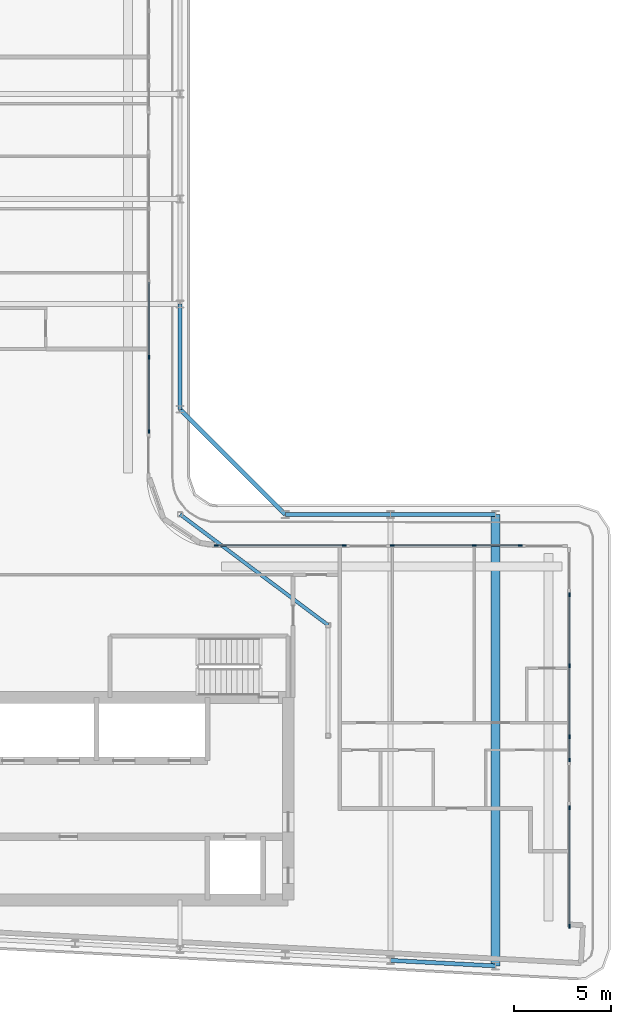
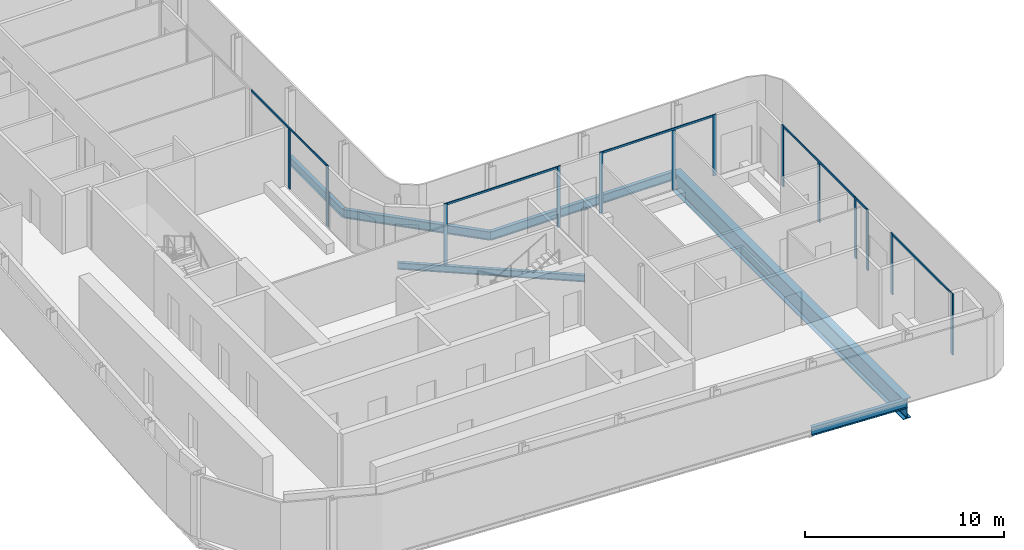
# One storey, part 6 of 21: 19 members, 7 beams, 6 elements without a shape of their own.
"""IFC4 building model written with IfcOpenShell, lengths in metres."""

import ifcopenshell
import ifcopenshell.guid

model = None  # the IFC model being written
_history = None  # IfcOwnerHistory: only IFC2X3 demands one
_inside = {}  # id of a spatial element -> (the spatial element, [elements in it])
_under = {}  # id of a project, library or spatial element -> (it, [spatial elements below it])
_declared = {}  # id of a project -> (the project, [libraries it declares])
_typed = {}  # id of a type object -> (the type object, [elements of that type])
_made_of = {}  # id of a material, layer set ... -> (it, [elements and type objects made of it])


def new_model(schema):
    """Start an empty IFC model of exactly this schema.

    Asked for "IFC4X3", IfcOpenShell would pick the latest addendum, in which some entities
    have other attributes; the version numbers below select the first issue.
    IFC2X3 requires an IfcOwnerHistory on every rooted entity: one is made here for all.
    """
    global model, _history
    if schema == "IFC4X3":
        model = ifcopenshell.file(schema_version=(4, 3, 0, 0))
    else:
        model = ifcopenshell.file(schema=schema)
    _inside.clear()
    _under.clear()
    _declared.clear()
    _typed.clear()
    _made_of.clear()
    _history = None
    if model.schema == "IFC2X3":
        org = make("IfcOrganization", Name="unknown")
        user = make(
            "IfcPersonAndOrganization",
            ThePerson=make("IfcPerson", FamilyName="unknown"),
            TheOrganization=org,
        )
        app = make(
            "IfcApplication",
            ApplicationDeveloper=org,
            Version="unknown",
            ApplicationFullName="unknown",
            ApplicationIdentifier="unknown",
        )
        _history = make(
            "IfcOwnerHistory",
            OwningUser=user,
            OwningApplication=app,
            ChangeAction="ADDED",
            CreationDate=0,
        )
    return model


def make(cls, **values):
    """One entity of the class cls with the attributes given. An attribute that is None is left unset."""
    return model.create_entity(
        cls, **{name: value for name, value in values.items() if value is not None}
    )


def rooted(cls, **values):
    """An entity with a GlobalId (a new one), such as an element, a storey or a relation."""
    return make(cls, GlobalId=ifcopenshell.guid.new(), OwnerHistory=_history, **values)


def si_unit(unit_type, name, prefix=None):
    """IfcSIUnit, for example si_unit("LENGTHUNIT", "METRE", prefix="MILLI")."""
    return make("IfcSIUnit", UnitType=unit_type, Prefix=prefix, Name=name)


def assignment(units):
    """IfcUnitAssignment: the units of a project."""
    return None if units is None else make("IfcUnitAssignment", Units=units)


def point(xyz):
    """IfcCartesianPoint."""
    return None if xyz is None else make("IfcCartesianPoint", Coordinates=xyz)


def direction(xyz):
    """IfcDirection."""
    return None if xyz is None else make("IfcDirection", DirectionRatios=xyz)


def frame(location, z_axis=None, x_axis=None):
    """IfcAxis2Placement3D, a coordinate frame: its origin and axes. An axis left out is left unset."""
    return make(
        "IfcAxis2Placement3D",
        Location=point(location),
        Axis=direction(z_axis),
        RefDirection=direction(x_axis),
    )


def frame_2d(location, x_axis=None):
    """IfcAxis2Placement2D, a coordinate frame in the plane: its origin and x axis."""
    return make(
        "IfcAxis2Placement2D", Location=point(location), RefDirection=direction(x_axis)
    )


def origin():
    """The frame at (0, 0, 0) with its axes left unset."""
    return frame((0.0, 0.0, 0.0))


def origin_2d():
    """The frame at (0, 0) in the plane with its x axis left unset."""
    return frame_2d((0.0, 0.0))


def place(relative_to, where):
    """IfcLocalPlacement: puts the frame where relative to a parent placement (None: the world)."""
    return make(
        "IfcLocalPlacement", PlacementRelTo=relative_to, RelativePlacement=where
    )


def context(
    kind, dimensions, precision=None, world=None, true_north=None, identifier=None
):
    """IfcGeometricRepresentationContext, for example the 3D "Model" context."""
    return make(
        "IfcGeometricRepresentationContext",
        ContextIdentifier=identifier,
        ContextType=kind,
        CoordinateSpaceDimension=dimensions,
        Precision=precision,
        WorldCoordinateSystem=world,
        TrueNorth=true_north,
    )


def subcontext(parent, identifier, kind, view, scale=None):
    """IfcGeometricRepresentationSubContext, for example "Body" below "Model"."""
    return make(
        "IfcGeometricRepresentationSubContext",
        ContextIdentifier=identifier,
        ContextType=kind,
        ParentContext=parent,
        TargetScale=scale,
        TargetView=view,
    )


def project(units=None, contexts=None):
    """IfcProject with its units and contexts."""
    return rooted(
        "IfcProject",
        Name="project",
        RepresentationContexts=contexts,
        UnitsInContext=assignment(units),
    )


def spatial(cls, under=None, at=None, **own):
    """A site, building, storey or space (cls), placed at a placement, below another one or the project."""
    s = rooted(cls, ObjectPlacement=at, **own)
    if under is not None:
        _under.setdefault(under.id(), (under, []))[1].append(s)
    return s


def profile(cls, at=None, kind="AREA", **sizes):
    """A parametric profile (cls). Its sizes go by their IFC names, for example OverallWidth=200.0."""
    return make(cls, ProfileType=kind, Position=at, **sizes)


def rectangle(**sizes):
    """IfcRectangleProfileDef."""
    return profile("IfcRectangleProfileDef", **sizes)


def i_section(**sizes):
    """IfcIShapeProfileDef."""
    return profile("IfcIShapeProfileDef", **sizes)


def extrude(swept, where, along, depth):
    """IfcExtrudedAreaSolid: the profile swept, set in the frame where, extruded along a direction by depth."""
    return make(
        "IfcExtrudedAreaSolid",
        SweptArea=swept,
        Position=where,
        ExtrudedDirection=direction(along),
        Depth=depth,
    )


def shape(context_of_items, identifier, shape_type, items):
    """IfcShapeRepresentation: the items that make up one representation, for example the "Body"."""
    return make(
        "IfcShapeRepresentation",
        ContextOfItems=context_of_items,
        RepresentationIdentifier=identifier,
        RepresentationType=shape_type,
        Items=items,
    )


def material(Name=None, Category=None):
    """IfcMaterial."""
    return make("IfcMaterial", Name=Name, Category=Category)


def layer(
    of_material, thickness, ventilated=None, Name=None, Category=None, Priority=None
):
    """IfcMaterialLayer: one layer of a wall or slab, of a material (None: an air gap)."""
    return make(
        "IfcMaterialLayer",
        Material=of_material,
        LayerThickness=thickness,
        IsVentilated=ventilated,
        Name=Name,
        Category=Category,
        Priority=Priority,
    )


def layer_set(layers, Name=None):
    """IfcMaterialLayerSet."""
    return make("IfcMaterialLayerSet", MaterialLayers=layers, LayerSetName=Name)


def material_profile(
    of_material, cross_section, Name=None, Category=None, Priority=None
):
    """IfcMaterialProfile: a cross section and its material."""
    return make(
        "IfcMaterialProfile",
        Name=Name,
        Material=of_material,
        Profile=cross_section,
        Priority=Priority,
        Category=Category,
    )


def profile_set(profiles, Name=None, composite=None):
    """IfcMaterialProfileSet."""
    return make(
        "IfcMaterialProfileSet",
        Name=Name,
        MaterialProfiles=profiles,
        CompositeProfile=composite,
    )


def made_of(thing, what):
    """Note that an element or type object is made of a material, layer set ...; save() writes the relation."""
    if what is not None:
        _made_of.setdefault(what.id(), (what, []))[1].append(thing)
    return thing


def type_object(cls, material=None, **own):
    """A type object (cls), such as IfcWallType, which elements share."""
    return made_of(rooted(cls, **own), material)


def element(
    cls,
    number,
    at=None,
    inside=None,
    cuts=None,
    type_object=None,
    material=None,
    context=None,
    identifier="Body",
    shape_type=None,
    held_by="IfcProductDefinitionShape",
    body=None,
    shapes=None,
    **own,
):
    """One element of the class cls, such as IfcWall. Its Tag is "e" and its number.

    at: its placement. inside: the storey or other place that contains it. cuts: it is an
    opening in that element (IfcRelVoidsElement). A single representation is given by context,
    identifier, shape_type and body (its items); several are given by shapes. held_by: the class
    of the entity that holds the representations. save() writes the other relations.
    """
    e = rooted(cls, Tag="e%d" % number, ObjectPlacement=at, **own)
    if body is not None:
        shapes = [shape(context, identifier, shape_type, body)]
    if shapes is not None:
        e.Representation = make(held_by, Representations=shapes)
    if inside is not None:
        _inside.setdefault(inside.id(), (inside, []))[1].append(e)
    if cuts is not None:
        rooted(
            "IfcRelVoidsElement", RelatingBuildingElement=cuts, RelatedOpeningElement=e
        )
    if type_object is not None:
        _typed.setdefault(type_object.id(), (type_object, []))[1].append(e)
    return made_of(e, material)


def aggregate(whole, parts):
    """IfcRelAggregates: a whole, such as a stair, and the parts it consists of."""
    return rooted("IfcRelAggregates", RelatingObject=whole, RelatedObjects=parts)


def save(model, path):
    """Write the relations noted so far, then the file.

    IfcRelAggregates (storeys below a building ...), IfcRelContainedInSpatialStructure (elements
    in a storey), IfcRelDefinesByType, IfcRelAssociatesMaterial and IfcRelDeclares: one each for
    every whole, place, type object, material and project.
    """
    for whole, parts in _under.values():
        aggregate(whole, parts)
    for where, things in _inside.values():
        rooted(
            "IfcRelContainedInSpatialStructure",
            RelatedElements=things,
            RelatingStructure=where,
        )
    for kind, things in _typed.values():
        rooted("IfcRelDefinesByType", RelatedObjects=things, RelatingType=kind)
    for what, things in _made_of.values():
        rooted("IfcRelAssociatesMaterial", RelatedObjects=things, RelatingMaterial=what)
    for by, libraries in _declared.values():
        rooted("IfcRelDeclares", RelatingContext=by, RelatedDefinitions=libraries)
    model.write(path)


model = new_model("IFC4")

# Units and contexts
model_context = context("Model", 3, precision=1e-05, world=origin(), true_north=direction((0.0, 1.0)))
body_context = subcontext(model_context, "Body", "Model", "MODEL_VIEW")
ifc_project = project(units=[si_unit("LENGTHUNIT", "METRE"), si_unit("AREAUNIT", "SQUARE_METRE"), si_unit("VOLUMEUNIT", "CUBIC_METRE"), si_unit("PLANEANGLEUNIT", "RADIAN"), si_unit("MASSUNIT", "GRAM", prefix="KILO")], contexts=[model_context])

# Site, building, storey
site_placement = place(None, origin())
site = spatial("IfcSite", under=ifc_project, at=site_placement, CompositionType="ELEMENT")
building_placement = place(site_placement, origin())
building = spatial("IfcBuilding", under=site, at=building_placement, Name="Kheshtan School and Residences Tower", CompositionType="ELEMENT")
storey_placement = place(building_placement, frame((0.0, 0.0, 305.89990234375)))
storey = spatial("IfcBuildingStorey", under=building, at=storey_placement, Name="L72", CompositionType="ELEMENT", Elevation=305.89990234375)

# Beams
ifc_material_1 = material(Name="Steel ASTM A992 Grade 50", Category="steel")
ifc_material_profile_1 = material_profile(ifc_material_1, i_section(OverallWidth=0.180908203125, OverallDepth=0.4169921875, WebThickness=0.010986328125, FlangeThickness=0.018310546875, FilletRadius=0.012451171875, at=origin_2d()), Name="W410x85")
ifc_profile_set_1 = profile_set([ifc_material_profile_1], Name="Steel ASTM A992 Grade 50")
beam_type_1 = type_object("IfcBeamType", Name="Beam FB3 W410x85 ASTM A992 Grade 50", PredefinedType="BEAM", material=ifc_profile_set_1)
beam_1_placement = place(storey_placement, frame((47.60009765625, 45.60009765625, -0.3583984375), z_axis=(0.800798828004, -0.598933416222, 0.0), x_axis=(0.598933416222, 0.800798828004, 0.0)))
element("IfcBeam", 1, at=beam_1_placement, inside=storey, type_object=beam_type_1, Name="Floor beam IC", PredefinedType="BEAM", context=body_context, shape_type="SweptSolid", body=[
    extrude(i_section(OverallWidth=0.180908203125, OverallDepth=0.4169921875, WebThickness=0.010986328125, FlangeThickness=0.018310546875, FilletRadius=0.012451171875, at=origin_2d()), origin(), (0.0, 0.0, 1.0), 9.490234375),
])
ifc_material_profile_2 = material_profile(ifc_material_1, i_section(OverallWidth=0.208984375, OverallDepth=0.532958984375, WebThickness=0.01025390625, FlangeThickness=0.015625, FilletRadius=0.013916015625, at=origin_2d()), Name="W530x92")
ifc_profile_set_2 = profile_set([ifc_material_profile_2], Name="Steel ASTM A992 Grade 50")
beam_type_2 = type_object("IfcBeamType", Name="Beam SP3 W530x92 ASTM A992 Grade 50", PredefinedType="BEAM", material=ifc_profile_set_2)
beam_2_placement = place(storey_placement, frame((47.60009765625, 56.39990234375, -0.41650390625), z_axis=(0.0, -1.0, 0.0), x_axis=(1.0, 0.0, 0.0)))
element("IfcBeam", 2, at=beam_2_placement, inside=storey, type_object=beam_type_2, Name="Spandrel beam C081-C079", PredefinedType="BEAM", context=body_context, shape_type="SweptSolid", body=[
    extrude(i_section(OverallWidth=0.208984375, OverallDepth=0.532958984375, WebThickness=0.01025390625, FlangeThickness=0.015625, FilletRadius=0.013916015625, at=origin_2d()), origin(), (0.0, 0.0, 1.0), 5.39990234375),
])
beam_3_placement = place(storey_placement, frame((47.60009765625, 51.0, -0.41650390625), z_axis=(0.707106781187, -0.707106781187, 0.0), x_axis=(0.707106781187, 0.707106781187, 0.0)))
element("IfcBeam", 3, at=beam_3_placement, inside=storey, type_object=beam_type_2, Name="Spandrel beam C079-C061", PredefinedType="BEAM", context=body_context, shape_type="SweptSolid", body=[
    extrude(i_section(OverallWidth=0.208984375, OverallDepth=0.532958984375, WebThickness=0.01025390625, FlangeThickness=0.015625, FilletRadius=0.013916015625, at=origin_2d()), origin(), (0.0, 0.0, 1.0), 7.63671875),
])
beam_4_placement = place(storey_placement, frame((53.0, 45.60009765625, -0.41650390625), z_axis=(1.0, 0.0, 0.0), x_axis=(0.0, 1.0, 0.0)))
element("IfcBeam", 4, at=beam_4_placement, inside=storey, type_object=beam_type_2, Name="Spandrel beam C061-C062", PredefinedType="BEAM", context=body_context, shape_type="SweptSolid", body=[
    extrude(i_section(OverallWidth=0.208984375, OverallDepth=0.532958984375, WebThickness=0.01025390625, FlangeThickness=0.015625, FilletRadius=0.013916015625, at=origin_2d()), origin(), (0.0, 0.0, 1.0), 5.39990234375),
])
beam_5_placement = place(storey_placement, frame((58.39990234375, 45.60009765625, -0.41650390625), z_axis=(1.0, 0.0, 0.0), x_axis=(0.0, 1.0, 0.0)))
element("IfcBeam", 5, at=beam_5_placement, inside=storey, type_object=beam_type_2, Name="Spandrel beam C062-C063", PredefinedType="BEAM", context=body_context, shape_type="SweptSolid", body=[
    extrude(i_section(OverallWidth=0.208984375, OverallDepth=0.532958984375, WebThickness=0.01025390625, FlangeThickness=0.015625, FilletRadius=0.013916015625, at=origin_2d()), origin(), (0.0, 0.0, 1.0), 5.400146484375),
])
beam_6_placement = place(storey_placement, frame((63.800048828125, 22.410888671875, -0.41650390625), z_axis=(-0.998618203458, 0.052551724256, 0.0), x_axis=(-0.052551724256, -0.998618203458, 0.0)))
element("IfcBeam", 6, at=beam_6_placement, inside=storey, type_object=beam_type_2, Name="Spandrel beam C016-C018", PredefinedType="BEAM", context=body_context, shape_type="SweptSolid", body=[
    extrude(i_section(OverallWidth=0.208984375, OverallDepth=0.532958984375, WebThickness=0.01025390625, FlangeThickness=0.015625, FilletRadius=0.013916015625, at=origin_2d()), origin(), (0.0, 0.0, 1.0), 5.40771484375),
])

# Curtain wall, members
ifc_material_2 = material(Name="Clear low-e glass in thermally broken aluminium frame", Category="aluminium")
ifc_layer = layer(ifc_material_2, 0.199951171875)
ifc_layer_set = layer_set([ifc_layer], Name="Curtain wall CW-L")
curtain_wall_type = type_object("IfcCurtainWallType", Name="Curtain wall CW-L", PredefinedType="NOTDEFINED", material=ifc_layer_set)
curtain_wall_1_placement = place(storey_placement, origin())
curtain_wall_1 = element("IfcCurtainWall", 7, at=curtain_wall_1_placement, inside=storey, type_object=curtain_wall_type, Name="Curtain wall CWL8", PredefinedType="NOTDEFINED")
ifc_material_3 = material(Name="Thermally broken aluminium, dark bronze anodised", Category="aluminium")
ifc_material_profile_3 = material_profile(ifc_material_3, rectangle(XDim=0.06005859375, YDim=0.199951171875, at=origin_2d()), Name="CW-L mullion 60x200")
ifc_profile_set_3 = profile_set([ifc_material_profile_3], Name="Thermally broken aluminium, dark bronze anodised")
member_type_1 = type_object("IfcMemberType", Name="CW-L mullion 60x200", PredefinedType="MULLION", material=ifc_profile_set_3)
member_1_placement = place(storey_placement, frame((46.0, 53.677001953125, 0.0), z_axis=(0.0, 0.0, 1.0), x_axis=(1.0, 0.0, 0.0)))
member_1 = element("IfcMember", 8, at=member_1_placement, type_object=member_type_1, Name="CWL8 mullion 2", PredefinedType="MULLION", context=body_context, shape_type="SweptSolid", body=[
    extrude(rectangle(XDim=0.06005859375, YDim=0.199951171875, at=origin_2d()), origin(), (0.0, 0.0, 1.0), 3.630126953125),
])
member_2_placement = place(storey_placement, frame((46.0, 49.860107421875, 0.0), z_axis=(0.0, 0.0, 1.0), x_axis=(1.0, 0.0, 0.0)))
member_2 = element("IfcMember", 9, at=member_2_placement, type_object=member_type_1, Name="CWL8 mullion 3", PredefinedType="MULLION", context=body_context, shape_type="SweptSolid", body=[
    extrude(rectangle(XDim=0.06005859375, YDim=0.199951171875, at=origin_2d()), origin(), (0.0, 0.0, 1.0), 3.75),
])

curtain_wall_2_placement = place(storey_placement, origin())
curtain_wall_2 = element("IfcCurtainWall", 10, at=curtain_wall_2_placement, inside=storey, type_object=curtain_wall_type, Name="Curtain wall CWL1233", PredefinedType="NOTDEFINED")
member_3_placement = place(storey_placement, frame((49.4599609375, 44.0, 0.0), z_axis=(0.0, 0.0, 1.0), x_axis=(0.0, 1.0, 0.0)))
member_3 = element("IfcMember", 11, at=member_3_placement, type_object=member_type_1, Name="CWL1233 mullion 1", PredefinedType="MULLION", context=body_context, shape_type="SweptSolid", body=[
    extrude(rectangle(XDim=0.06005859375, YDim=0.199951171875, at=origin_2d()), origin(), (0.0, 0.0, 1.0), 3.75),
])
member_4_placement = place(storey_placement, frame((56.034912109375, 44.0, 0.0), z_axis=(0.0, 0.0, 1.0), x_axis=(0.0, 1.0, 0.0)))
member_4 = element("IfcMember", 12, at=member_4_placement, type_object=member_type_1, Name="CWL1233 mullion 2", PredefinedType="MULLION", context=body_context, shape_type="SweptSolid", body=[
    extrude(rectangle(XDim=0.06005859375, YDim=0.199951171875, at=origin_2d()), origin(), (0.0, 0.0, 1.0), 3.75),
])

curtain_wall_3_placement = place(storey_placement, origin())
curtain_wall_3 = element("IfcCurtainWall", 13, at=curtain_wall_3_placement, inside=storey, type_object=curtain_wall_type, Name="Curtain wall CWL1234", PredefinedType="NOTDEFINED")
member_5_placement = place(storey_placement, frame((58.4951171875, 44.0, 0.0), z_axis=(0.0, 0.0, 1.0), x_axis=(0.0, 1.0, 0.0)))
member_5 = element("IfcMember", 14, at=member_5_placement, type_object=member_type_1, Name="CWL1234 mullion 1", PredefinedType="MULLION", context=body_context, shape_type="SweptSolid", body=[
    extrude(rectangle(XDim=0.06005859375, YDim=0.199951171875, at=origin_2d()), origin(), (0.0, 0.0, 1.0), 3.75),
])
member_6_placement = place(storey_placement, frame((62.699951171875, 44.0, 0.0), z_axis=(0.0, 0.0, 1.0), x_axis=(0.0, 1.0, 0.0)))
member_6 = element("IfcMember", 15, at=member_6_placement, type_object=member_type_1, Name="CWL1234 mullion 2", PredefinedType="MULLION", context=body_context, shape_type="SweptSolid", body=[
    extrude(rectangle(XDim=0.06005859375, YDim=0.199951171875, at=origin_2d()), origin(), (0.0, 0.0, 1.0), 3.630126953125),
])
member_7_placement = place(storey_placement, frame((65.070068359375, 44.0, 0.0), z_axis=(0.0, 0.0, 1.0), x_axis=(0.0, 1.0, 0.0)))
member_7 = element("IfcMember", 16, at=member_7_placement, type_object=member_type_1, Name="CWL1234 mullion 3", PredefinedType="MULLION", context=body_context, shape_type="SweptSolid", body=[
    extrude(rectangle(XDim=0.06005859375, YDim=0.199951171875, at=origin_2d()), origin(), (0.0, 0.0, 1.0), 3.75),
])

curtain_wall_4_placement = place(storey_placement, origin())
curtain_wall_4 = element("IfcCurtainWall", 17, at=curtain_wall_4_placement, inside=storey, type_object=curtain_wall_type, Name="Curtain wall CWL13e", PredefinedType="NOTDEFINED")
member_8_placement = place(storey_placement, frame((67.60009765625, 41.469970703125, 0.0), z_axis=(0.0, 0.0, 1.0), x_axis=(1.0, 0.0, 0.0)))
member_8 = element("IfcMember", 18, at=member_8_placement, type_object=member_type_1, Name="CWL13e mullion 1", PredefinedType="MULLION", context=body_context, shape_type="SweptSolid", body=[
    extrude(rectangle(XDim=0.06005859375, YDim=0.199951171875, at=origin_2d()), origin(), (0.0, 0.0, 1.0), 3.75),
])
member_9_placement = place(storey_placement, frame((67.60009765625, 37.829833984375, 0.0), z_axis=(0.0, 0.0, 1.0), x_axis=(1.0, 0.0, 0.0)))
member_9 = element("IfcMember", 19, at=member_9_placement, type_object=member_type_1, Name="CWL13e mullion 2", PredefinedType="MULLION", context=body_context, shape_type="SweptSolid", body=[
    extrude(rectangle(XDim=0.06005859375, YDim=0.199951171875, at=origin_2d()), origin(), (0.0, 0.0, 1.0), 3.630126953125),
])
member_10_placement = place(storey_placement, frame((67.60009765625, 34.189453125, 0.0), z_axis=(0.0, 0.0, 1.0), x_axis=(1.0, 0.0, 0.0)))
member_10 = element("IfcMember", 20, at=member_10_placement, type_object=member_type_1, Name="CWL13e mullion 3", PredefinedType="MULLION", context=body_context, shape_type="SweptSolid", body=[
    extrude(rectangle(XDim=0.06005859375, YDim=0.199951171875, at=origin_2d()), origin(), (0.0, 0.0, 1.0), 3.75),
])

# Curtain wall, member
curtain_wall_5_placement = place(storey_placement, origin())
curtain_wall_5 = element("IfcCurtainWall", 21, at=curtain_wall_5_placement, inside=storey, type_object=curtain_wall_type, Name="Curtain wall CWL13f", PredefinedType="NOTDEFINED")
member_11_placement = place(storey_placement, frame((67.60009765625, 32.989501953125, 0.0), z_axis=(0.0, 0.0, 1.0), x_axis=(1.0, 0.0, 0.0)))
member_11 = element("IfcMember", 22, at=member_11_placement, type_object=member_type_1, Name="CWL13f mullion 2", PredefinedType="MULLION", context=body_context, shape_type="SweptSolid", body=[
    extrude(rectangle(XDim=0.06005859375, YDim=0.199951171875, at=origin_2d()), origin(), (0.0, 0.0, 1.0), 3.75),
])

# Curtain wall, members
curtain_wall_6_placement = place(storey_placement, origin())
curtain_wall_6 = element("IfcCurtainWall", 23, at=curtain_wall_6_placement, inside=storey, type_object=curtain_wall_type, Name="Curtain wall CWL13g", PredefinedType="NOTDEFINED")
member_12_placement = place(storey_placement, frame((67.60009765625, 30.529541015625, 0.0), z_axis=(0.0, 0.0, 1.0), x_axis=(1.0, 0.0, 0.0)))
member_12 = element("IfcMember", 24, at=member_12_placement, type_object=member_type_1, Name="CWL13g mullion 1", PredefinedType="MULLION", context=body_context, shape_type="SweptSolid", body=[
    extrude(rectangle(XDim=0.06005859375, YDim=0.199951171875, at=origin_2d()), origin(), (0.0, 0.0, 1.0), 3.75),
])
member_13_placement = place(storey_placement, frame((67.60009765625, 24.448974609375, 0.0), z_axis=(0.0, 0.0, 1.0), x_axis=(1.0, 0.0, 0.0)))
member_13 = element("IfcMember", 25, at=member_13_placement, type_object=member_type_1, Name="CWL13g mullion 2", PredefinedType="MULLION", context=body_context, shape_type="SweptSolid", body=[
    extrude(rectangle(XDim=0.06005859375, YDim=0.199951171875, at=origin_2d()), origin(), (0.0, 0.0, 1.0), 3.75),
])

# Member
ifc_material_profile_4 = material_profile(ifc_material_3, rectangle(XDim=0.06005859375, YDim=0.1201171875, at=origin_2d()), Name="CW-L transom 60x120")
ifc_profile_set_4 = profile_set([ifc_material_profile_4], Name="Thermally broken aluminium, dark bronze anodised")
member_type_2 = type_object("IfcMemberType", Name="CW-L transom 60x120", PredefinedType="USERDEFINED", material=ifc_profile_set_4)
member_14_placement = place(storey_placement, frame((46.0, 57.52392578125, 3.690185546875), z_axis=(0.0, -1.0, 0.0), x_axis=(1.0, 0.0, 0.0)))
member_14 = element("IfcMember", 26, at=member_14_placement, type_object=member_type_2, Name="CWL8 transom 1", ObjectType="TRANSOM", PredefinedType="USERDEFINED", context=body_context, shape_type="SweptSolid", body=[
    extrude(rectangle(XDim=0.06005859375, YDim=0.1201171875, at=origin_2d()), origin(), (0.0, 0.0, 1.0), 7.634033203125),
])

aggregate(curtain_wall_1, [member_1, member_2, member_14])

member_15_placement = place(storey_placement, frame((49.489990234375, 44.0, 3.690185546875), z_axis=(1.0, 0.0, 0.0), x_axis=(0.0, 1.0, 0.0)))
member_15 = element("IfcMember", 27, at=member_15_placement, type_object=member_type_2, Name="CWL1233 transom 1", ObjectType="TRANSOM", PredefinedType="USERDEFINED", context=body_context, shape_type="SweptSolid", body=[
    extrude(rectangle(XDim=0.06005859375, YDim=0.1201171875, at=origin_2d()), origin(), (0.0, 0.0, 1.0), 6.514892578125),
])

aggregate(curtain_wall_2, [member_3, member_4, member_15])

member_16_placement = place(storey_placement, frame((58.52490234375, 44.0, 3.690185546875), z_axis=(1.0, 0.0, 0.0), x_axis=(0.0, 1.0, 0.0)))
member_16 = element("IfcMember", 28, at=member_16_placement, type_object=member_type_2, Name="CWL1234 transom 1", ObjectType="TRANSOM", PredefinedType="USERDEFINED", context=body_context, shape_type="SweptSolid", body=[
    extrude(rectangle(XDim=0.06005859375, YDim=0.1201171875, at=origin_2d()), origin(), (0.0, 0.0, 1.0), 6.51513671875),
])

aggregate(curtain_wall_3, [member_5, member_6, member_7, member_16])

member_17_placement = place(storey_placement, frame((67.60009765625, 41.43994140625, 3.690185546875), z_axis=(0.0, -1.0, 0.0), x_axis=(1.0, 0.0, 0.0)))
member_17 = element("IfcMember", 29, at=member_17_placement, type_object=member_type_2, Name="CWL13e transom 1", ObjectType="TRANSOM", PredefinedType="USERDEFINED", context=body_context, shape_type="SweptSolid", body=[
    extrude(rectangle(XDim=0.06005859375, YDim=0.1201171875, at=origin_2d()), origin(), (0.0, 0.0, 1.0), 7.220458984375),
])

aggregate(curtain_wall_4, [member_8, member_9, member_10, member_17])

member_18_placement = place(storey_placement, frame((67.60009765625, 34.159423828125, 3.690185546875), z_axis=(0.0, -1.0, 0.0), x_axis=(1.0, 0.0, 0.0)))
member_18 = element("IfcMember", 30, at=member_18_placement, type_object=member_type_2, Name="CWL13f transom 1", ObjectType="TRANSOM", PredefinedType="USERDEFINED", context=body_context, shape_type="SweptSolid", body=[
    extrude(rectangle(XDim=0.06005859375, YDim=0.1201171875, at=origin_2d()), origin(), (0.0, 0.0, 1.0), 1.139892578125),
])

aggregate(curtain_wall_5, [member_11, member_18])

member_19_placement = place(storey_placement, frame((67.60009765625, 30.49951171875, 3.690185546875), z_axis=(0.0, -1.0, 0.0), x_axis=(1.0, 0.0, 0.0)))
member_19 = element("IfcMember", 31, at=member_19_placement, type_object=member_type_2, Name="CWL13g transom 1", ObjectType="TRANSOM", PredefinedType="USERDEFINED", context=body_context, shape_type="SweptSolid", body=[
    extrude(rectangle(XDim=0.06005859375, YDim=0.1201171875, at=origin_2d()), origin(), (0.0, 0.0, 1.0), 6.0205078125),
])

aggregate(curtain_wall_6, [member_12, member_13, member_19])

# Beam
ifc_material_profile_5 = material_profile(ifc_material_1, i_section(OverallWidth=0.449951171875, OverallDepth=1.25, WebThickness=0.02490234375, FlangeThickness=0.044921875, FilletRadius=0.03759765625, at=origin_2d()), Name="WWF1250x546")
ifc_profile_set_5 = profile_set([ifc_material_profile_5], Name="Steel ASTM A992 Grade 50")
beam_type_3 = type_object("IfcBeamType", Name="Transfer girder TG4 WWF1250x546 ASTM A992 Grade 50", PredefinedType="BEAM", material=ifc_profile_set_5)
beam_7_placement = place(storey_placement, frame((63.800048828125, 45.60009765625, -0.77490234375), z_axis=(0.0, -1.0, 0.0), x_axis=(1.0, 0.0, 0.0)))
element("IfcBeam", 32, at=beam_7_placement, inside=storey, type_object=beam_type_3, Name="Transfer girder C063-C016", PredefinedType="BEAM", context=body_context, shape_type="SweptSolid", body=[
    extrude(i_section(OverallWidth=0.449951171875, OverallDepth=1.25, WebThickness=0.02490234375, FlangeThickness=0.044921875, FilletRadius=0.03759765625, at=origin_2d()), origin(), (0.0, 0.0, 1.0), 23.189208984375),
])

save(model, "model.ifc")
